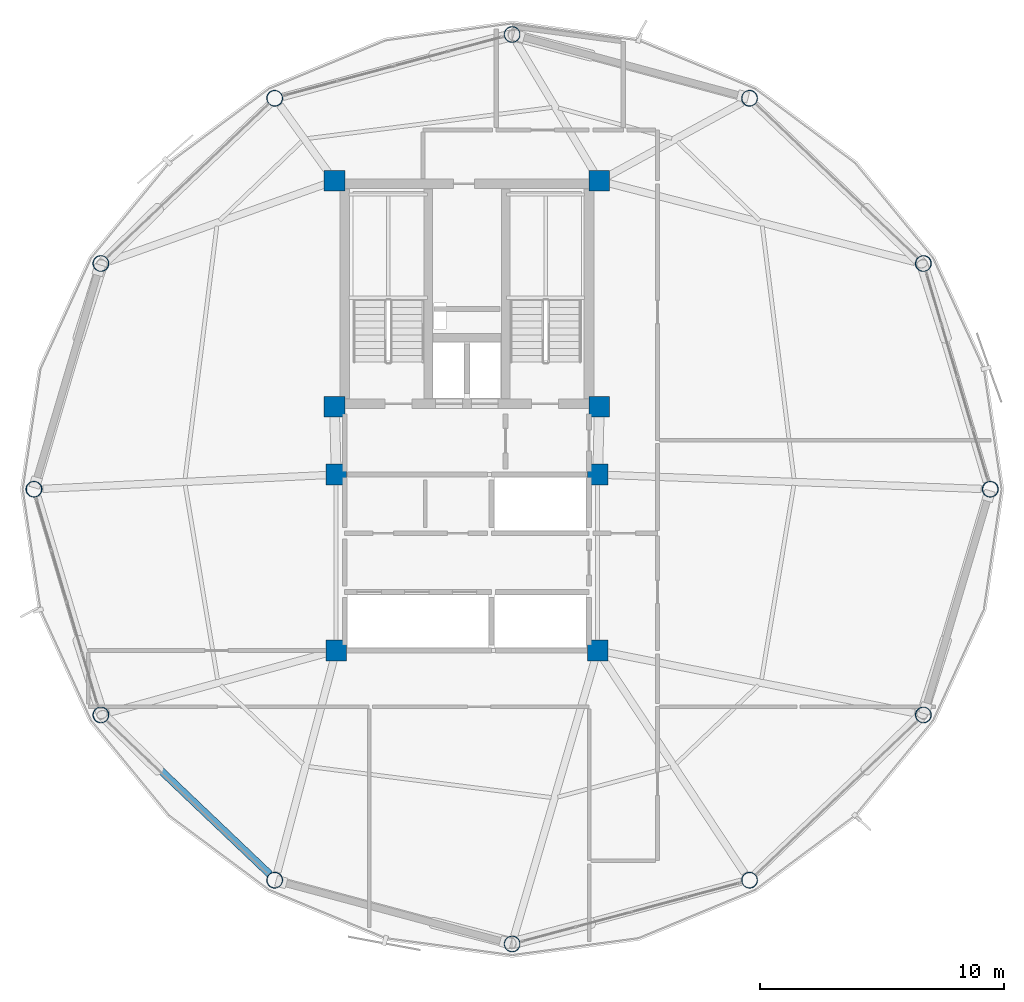
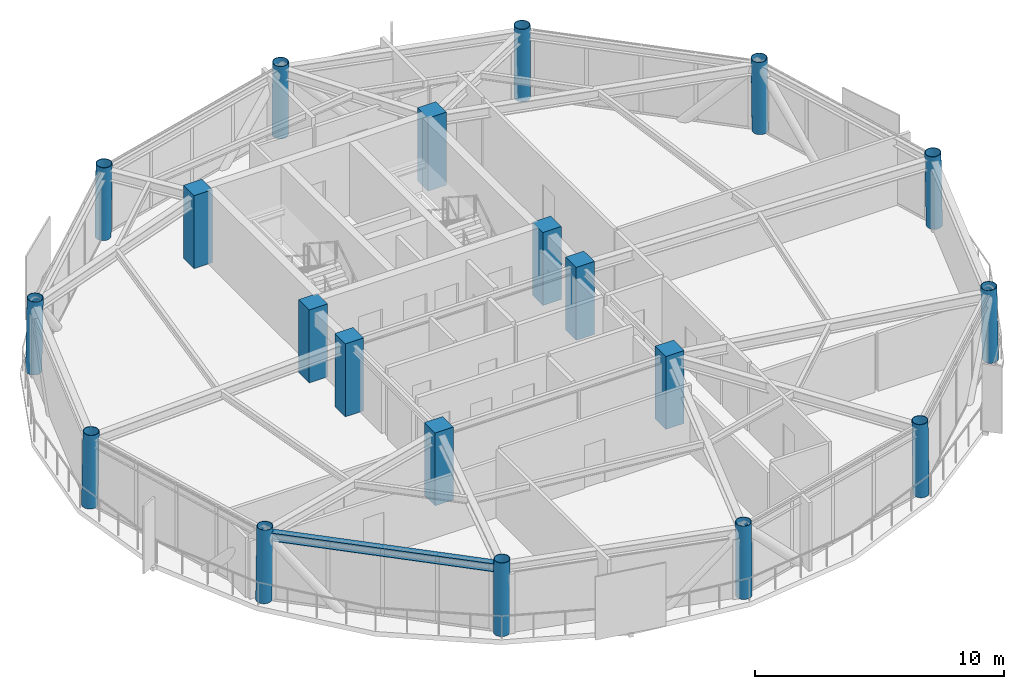
# One storey, part 1 of 29: 20 columns, 1 beam.
"""IFC4 building model written with IfcOpenShell, lengths in metres."""

import ifcopenshell
import ifcopenshell.guid

model = None  # the IFC model being written
_history = None  # IfcOwnerHistory: only IFC2X3 demands one
_inside = {}  # id of a spatial element -> (the spatial element, [elements in it])
_under = {}  # id of a project, library or spatial element -> (it, [spatial elements below it])
_declared = {}  # id of a project -> (the project, [libraries it declares])
_typed = {}  # id of a type object -> (the type object, [elements of that type])
_made_of = {}  # id of a material, layer set ... -> (it, [elements and type objects made of it])


def new_model(schema):
    """Start an empty IFC model of exactly this schema.

    Asked for "IFC4X3", IfcOpenShell would pick the latest addendum, in which some entities
    have other attributes; the version numbers below select the first issue.
    IFC2X3 requires an IfcOwnerHistory on every rooted entity: one is made here for all.
    """
    global model, _history
    if schema == "IFC4X3":
        model = ifcopenshell.file(schema_version=(4, 3, 0, 0))
    else:
        model = ifcopenshell.file(schema=schema)
    _inside.clear()
    _under.clear()
    _declared.clear()
    _typed.clear()
    _made_of.clear()
    _history = None
    if model.schema == "IFC2X3":
        org = make("IfcOrganization", Name="unknown")
        user = make(
            "IfcPersonAndOrganization",
            ThePerson=make("IfcPerson", FamilyName="unknown"),
            TheOrganization=org,
        )
        app = make(
            "IfcApplication",
            ApplicationDeveloper=org,
            Version="unknown",
            ApplicationFullName="unknown",
            ApplicationIdentifier="unknown",
        )
        _history = make(
            "IfcOwnerHistory",
            OwningUser=user,
            OwningApplication=app,
            ChangeAction="ADDED",
            CreationDate=0,
        )
    return model


def make(cls, **values):
    """One entity of the class cls with the attributes given. An attribute that is None is left unset."""
    return model.create_entity(
        cls, **{name: value for name, value in values.items() if value is not None}
    )


def rooted(cls, **values):
    """An entity with a GlobalId (a new one), such as an element, a storey or a relation."""
    return make(cls, GlobalId=ifcopenshell.guid.new(), OwnerHistory=_history, **values)


def si_unit(unit_type, name, prefix=None):
    """IfcSIUnit, for example si_unit("LENGTHUNIT", "METRE", prefix="MILLI")."""
    return make("IfcSIUnit", UnitType=unit_type, Prefix=prefix, Name=name)


def assignment(units):
    """IfcUnitAssignment: the units of a project."""
    return None if units is None else make("IfcUnitAssignment", Units=units)


def point(xyz):
    """IfcCartesianPoint."""
    return None if xyz is None else make("IfcCartesianPoint", Coordinates=xyz)


def direction(xyz):
    """IfcDirection."""
    return None if xyz is None else make("IfcDirection", DirectionRatios=xyz)


def frame(location, z_axis=None, x_axis=None):
    """IfcAxis2Placement3D, a coordinate frame: its origin and axes. An axis left out is left unset."""
    return make(
        "IfcAxis2Placement3D",
        Location=point(location),
        Axis=direction(z_axis),
        RefDirection=direction(x_axis),
    )


def frame_2d(location, x_axis=None):
    """IfcAxis2Placement2D, a coordinate frame in the plane: its origin and x axis."""
    return make(
        "IfcAxis2Placement2D", Location=point(location), RefDirection=direction(x_axis)
    )


def origin():
    """The frame at (0, 0, 0) with its axes left unset."""
    return frame((0.0, 0.0, 0.0))


def origin_2d():
    """The frame at (0, 0) in the plane with its x axis left unset."""
    return frame_2d((0.0, 0.0))


def place(relative_to, where):
    """IfcLocalPlacement: puts the frame where relative to a parent placement (None: the world)."""
    return make(
        "IfcLocalPlacement", PlacementRelTo=relative_to, RelativePlacement=where
    )


def context(
    kind, dimensions, precision=None, world=None, true_north=None, identifier=None
):
    """IfcGeometricRepresentationContext, for example the 3D "Model" context."""
    return make(
        "IfcGeometricRepresentationContext",
        ContextIdentifier=identifier,
        ContextType=kind,
        CoordinateSpaceDimension=dimensions,
        Precision=precision,
        WorldCoordinateSystem=world,
        TrueNorth=true_north,
    )


def subcontext(parent, identifier, kind, view, scale=None):
    """IfcGeometricRepresentationSubContext, for example "Body" below "Model"."""
    return make(
        "IfcGeometricRepresentationSubContext",
        ContextIdentifier=identifier,
        ContextType=kind,
        ParentContext=parent,
        TargetScale=scale,
        TargetView=view,
    )


def project(units=None, contexts=None):
    """IfcProject with its units and contexts."""
    return rooted(
        "IfcProject",
        Name="project",
        RepresentationContexts=contexts,
        UnitsInContext=assignment(units),
    )


def spatial(cls, under=None, at=None, **own):
    """A site, building, storey or space (cls), placed at a placement, below another one or the project."""
    s = rooted(cls, ObjectPlacement=at, **own)
    if under is not None:
        _under.setdefault(under.id(), (under, []))[1].append(s)
    return s


def profile(cls, at=None, kind="AREA", **sizes):
    """A parametric profile (cls). Its sizes go by their IFC names, for example OverallWidth=200.0."""
    return make(cls, ProfileType=kind, Position=at, **sizes)


def rectangle(**sizes):
    """IfcRectangleProfileDef."""
    return profile("IfcRectangleProfileDef", **sizes)


def hollow_circle(**sizes):
    """IfcCircleHollowProfileDef."""
    return profile("IfcCircleHollowProfileDef", **sizes)


def i_section(**sizes):
    """IfcIShapeProfileDef."""
    return profile("IfcIShapeProfileDef", **sizes)


def extrude(swept, where, along, depth):
    """IfcExtrudedAreaSolid: the profile swept, set in the frame where, extruded along a direction by depth."""
    return make(
        "IfcExtrudedAreaSolid",
        SweptArea=swept,
        Position=where,
        ExtrudedDirection=direction(along),
        Depth=depth,
    )


def shape(context_of_items, identifier, shape_type, items):
    """IfcShapeRepresentation: the items that make up one representation, for example the "Body"."""
    return make(
        "IfcShapeRepresentation",
        ContextOfItems=context_of_items,
        RepresentationIdentifier=identifier,
        RepresentationType=shape_type,
        Items=items,
    )


def material(Name=None, Category=None):
    """IfcMaterial."""
    return make("IfcMaterial", Name=Name, Category=Category)


def material_profile(
    of_material, cross_section, Name=None, Category=None, Priority=None
):
    """IfcMaterialProfile: a cross section and its material."""
    return make(
        "IfcMaterialProfile",
        Name=Name,
        Material=of_material,
        Profile=cross_section,
        Priority=Priority,
        Category=Category,
    )


def profile_set(profiles, Name=None, composite=None):
    """IfcMaterialProfileSet."""
    return make(
        "IfcMaterialProfileSet",
        Name=Name,
        MaterialProfiles=profiles,
        CompositeProfile=composite,
    )


def made_of(thing, what):
    """Note that an element or type object is made of a material, layer set ...; save() writes the relation."""
    if what is not None:
        _made_of.setdefault(what.id(), (what, []))[1].append(thing)
    return thing


def type_object(cls, material=None, **own):
    """A type object (cls), such as IfcWallType, which elements share."""
    return made_of(rooted(cls, **own), material)


def element(
    cls,
    number,
    at=None,
    inside=None,
    cuts=None,
    type_object=None,
    material=None,
    context=None,
    identifier="Body",
    shape_type=None,
    held_by="IfcProductDefinitionShape",
    body=None,
    shapes=None,
    **own,
):
    """One element of the class cls, such as IfcWall. Its Tag is "e" and its number.

    at: its placement. inside: the storey or other place that contains it. cuts: it is an
    opening in that element (IfcRelVoidsElement). A single representation is given by context,
    identifier, shape_type and body (its items); several are given by shapes. held_by: the class
    of the entity that holds the representations. save() writes the other relations.
    """
    e = rooted(cls, Tag="e%d" % number, ObjectPlacement=at, **own)
    if body is not None:
        shapes = [shape(context, identifier, shape_type, body)]
    if shapes is not None:
        e.Representation = make(held_by, Representations=shapes)
    if inside is not None:
        _inside.setdefault(inside.id(), (inside, []))[1].append(e)
    if cuts is not None:
        rooted(
            "IfcRelVoidsElement", RelatingBuildingElement=cuts, RelatedOpeningElement=e
        )
    if type_object is not None:
        _typed.setdefault(type_object.id(), (type_object, []))[1].append(e)
    return made_of(e, material)


def aggregate(whole, parts):
    """IfcRelAggregates: a whole, such as a stair, and the parts it consists of."""
    return rooted("IfcRelAggregates", RelatingObject=whole, RelatedObjects=parts)


def save(model, path):
    """Write the relations noted so far, then the file.

    IfcRelAggregates (storeys below a building ...), IfcRelContainedInSpatialStructure (elements
    in a storey), IfcRelDefinesByType, IfcRelAssociatesMaterial and IfcRelDeclares: one each for
    every whole, place, type object, material and project.
    """
    for whole, parts in _under.values():
        aggregate(whole, parts)
    for where, things in _inside.values():
        rooted(
            "IfcRelContainedInSpatialStructure",
            RelatedElements=things,
            RelatingStructure=where,
        )
    for kind, things in _typed.values():
        rooted("IfcRelDefinesByType", RelatedObjects=things, RelatingType=kind)
    for what, things in _made_of.values():
        rooted("IfcRelAssociatesMaterial", RelatedObjects=things, RelatingMaterial=what)
    for by, libraries in _declared.values():
        rooted("IfcRelDeclares", RelatingContext=by, RelatedDefinitions=libraries)
    model.write(path)


model = new_model("IFC4")

# Units and contexts
model_context = context("Model", 3, precision=1e-05, world=origin(), true_north=direction((0.0, 1.0)))
body_context = subcontext(model_context, "Body", "Model", "MODEL_VIEW")
ifc_project = project(units=[si_unit("LENGTHUNIT", "METRE"), si_unit("AREAUNIT", "SQUARE_METRE"), si_unit("VOLUMEUNIT", "CUBIC_METRE"), si_unit("PLANEANGLEUNIT", "RADIAN"), si_unit("MASSUNIT", "GRAM", prefix="KILO")], contexts=[model_context])

# Site, building, storey
site_placement = place(None, origin())
site = spatial("IfcSite", under=ifc_project, at=site_placement, CompositionType="ELEMENT")
building_placement = place(site_placement, origin())
building = spatial("IfcBuilding", under=site, at=building_placement, Name="Varnakorn Sky Granary", CompositionType="ELEMENT")
storey_placement = place(building_placement, frame((0.0, 0.0, 189.60009765625)))
storey = spatial("IfcBuildingStorey", under=building, at=storey_placement, Name="L47", CompositionType="ELEMENT", Elevation=189.60009765625)

# Columns
ifc_material_1 = material(Name="Steel S460M", Category="steel")
ifc_material_profile_1 = material_profile(ifc_material_1, hollow_circle(Radius=0.330078125, WallThickness=0.02490234375, at=origin_2d()), Name="CHS 660x25")
ifc_profile_set_1 = profile_set([ifc_material_profile_1], Name="Steel S460M")
column_type_1 = type_object("IfcColumnType", Name="COL-DC-Z4", PredefinedType="COLUMN", material=ifc_profile_set_1)
column_1_placement = place(storey_placement, frame((24.428955078125, 0.0, 0.0), z_axis=(-0.018981760075, 0.0, 0.999819830162), x_axis=(0.0, -1.0, 0.0)))
element("IfcColumn", 1, at=column_1_placement, inside=storey, type_object=column_type_1, Name="Drum Perimeter Column DC01 L47", PredefinedType="COLUMN", context=body_context, shape_type="SweptSolid", body=[
    extrude(hollow_circle(Radius=0.330078125, WallThickness=0.02490234375, at=origin_2d()), origin(), (0.0, 0.0, 1.0), 3.57568359375),
])
column_2_placement = place(storey_placement, frame((21.68896484375, 9.239990234375, 0.0), z_axis=(-0.016455959383, -0.00477973924, 0.999853166967), x_axis=(0.278928739366, -0.960311802674, 0.0)))
element("IfcColumn", 2, at=column_2_placement, inside=storey, type_object=column_type_1, Name="Drum Perimeter Column DC02 L47", PredefinedType="COLUMN", context=body_context, shape_type="SweptSolid", body=[
    extrude(hollow_circle(Radius=0.330078125, WallThickness=0.02490234375, at=origin_2d()), origin(), (0.0, 0.0, 1.0), 3.575439453125),
])
for number, where, z_axis, x_axis, name in (
    (3, (14.572021484375, 16.004150390625, 0.0), (-0.00949183863, -0.008262679671, 0.999920813427), (0.656581650754, -0.754254954172, 0.0), "Drum Perimeter Column DC03 L47"),
    (4, (4.85009765625, 18.614990234375, 0.0), (0.0, -0.00949216266, 0.999954948409), (1.0, 0.0, 0.0), "Drum Perimeter Column DC04 L47"),
    (5, (-4.8720703125, 16.004150390625, 0.0), (0.009560119021, -0.008262674296, 0.999920162982), (0.653901224294, 0.756579928935, 0.0), "Drum Perimeter Column DC05 L47"),
):
    element("IfcColumn", number, at=place(storey_placement, frame(where, z_axis=z_axis, x_axis=x_axis)), inside=storey, type_object=column_type_1, Name=name, PredefinedType="COLUMN", context=body_context, shape_type="SweptSolid", body=[
        extrude(hollow_circle(Radius=0.330078125, WallThickness=0.02490234375, at=origin_2d()), origin(), (0.0, 0.0, 1.0), 3.5751953125),
    ])
column_3_placement = place(storey_placement, frame((-11.989013671875, 9.239990234375, 0.0), z_axis=(0.016455959383, -0.00477973924, 0.999853166967), x_axis=(0.278928739366, 0.960311802674, 0.0)))
element("IfcColumn", 6, at=column_3_placement, inside=storey, type_object=column_type_1, Name="Drum Perimeter Column DC06 L47", PredefinedType="COLUMN", context=body_context, shape_type="SweptSolid", body=[
    extrude(hollow_circle(Radius=0.330078125, WallThickness=0.02490234375, at=origin_2d()), origin(), (0.0, 0.0, 1.0), 3.575439453125),
])
column_4_placement = place(storey_placement, frame((-14.72900390625, 0.0, 0.0), z_axis=(0.019050015053, 0.0, 0.999818531998), x_axis=(0.0, 1.0, 0.0)))
element("IfcColumn", 7, at=column_4_placement, inside=storey, type_object=column_type_1, Name="Drum Perimeter Column DC07 L47", PredefinedType="COLUMN", context=body_context, shape_type="SweptSolid", body=[
    extrude(hollow_circle(Radius=0.330078125, WallThickness=0.02490234375, at=origin_2d()), origin(), (0.0, 0.0, 1.0), 3.57568359375),
])
column_5_placement = place(storey_placement, frame((-11.989013671875, -9.239990234375, 0.0), z_axis=(0.016455959383, 0.00477973924, 0.999853166967), x_axis=(-0.278928739366, 0.960311802674, 0.0)))
element("IfcColumn", 8, at=column_5_placement, inside=storey, type_object=column_type_1, Name="Drum Perimeter Column DC08 L47", PredefinedType="COLUMN", context=body_context, shape_type="SweptSolid", body=[
    extrude(hollow_circle(Radius=0.330078125, WallThickness=0.02490234375, at=origin_2d()), origin(), (0.0, 0.0, 1.0), 3.575439453125),
])
for number, where, z_axis, x_axis, name in (
    (9, (-4.8720703125, -16.004150390625, 0.0), (0.009560119021, 0.008262674296, 0.999920162982), (-0.653901224294, 0.756579928935, 0.0), "Drum Perimeter Column DC09 L47"),
    (10, (4.85009765625, -18.614990234375, 0.0), (0.0, 0.00949216266, 0.999954948409), (-1.0, 0.0, 0.0), "Drum Perimeter Column DC10 L47"),
    (11, (14.572021484375, -16.004150390625, 0.0), (-0.00949183863, 0.008262679671, 0.999920813427), (-0.656581650754, -0.754254954172, 0.0), "Drum Perimeter Column DC11 L47"),
):
    element("IfcColumn", number, at=place(storey_placement, frame(where, z_axis=z_axis, x_axis=x_axis)), inside=storey, type_object=column_type_1, Name=name, PredefinedType="COLUMN", context=body_context, shape_type="SweptSolid", body=[
        extrude(hollow_circle(Radius=0.330078125, WallThickness=0.02490234375, at=origin_2d()), origin(), (0.0, 0.0, 1.0), 3.5751953125),
    ])
column_6_placement = place(storey_placement, frame((21.68896484375, -9.239990234375, 0.0), z_axis=(-0.016455959383, 0.00477973924, 0.999853166967), x_axis=(-0.278928739366, -0.960311802674, 0.0)))
element("IfcColumn", 12, at=column_6_placement, inside=storey, type_object=column_type_1, Name="Drum Perimeter Column DC12 L47", PredefinedType="COLUMN", context=body_context, shape_type="SweptSolid", body=[
    extrude(hollow_circle(Radius=0.330078125, WallThickness=0.02490234375, at=origin_2d()), origin(), (0.0, 0.0, 1.0), 3.575439453125),
])
ifc_material_2 = material(Name="Concrete C50/60", Category="concrete")
ifc_material_profile_2 = material_profile(ifc_material_2, rectangle(XDim=0.85009765625, YDim=0.85009765625, at=origin_2d()), Name="RC 850x850")
ifc_profile_set_2 = profile_set([ifc_material_profile_2], Name="Concrete C50/60")
column_type_2 = type_object("IfcColumnType", Name="COL-MC-Z4", PredefinedType="COLUMN", material=ifc_profile_set_2)
for number, where, z_axis, x_axis, name in (
    (13, (-2.419921875, 12.6201171875, 0.0), (0.0, 0.0, 1.0), (1.0, 0.0, 0.0), "Backbone Mega-Column MC1 L47"),
    (14, (8.419921875, 12.6201171875, 0.0), (0.0, 0.0, 1.0), (1.0, 0.0, 0.0), "Backbone Mega-Column MC2 L47"),
    (15, (-2.419921875, 3.3798828125, 0.0), (0.0, 0.0, 1.0), (1.0, 0.0, 0.0), "Backbone Mega-Column MC3 L47"),
    (16, (8.419921875, 3.3798828125, 0.0), (0.0, 0.0, 1.0), (1.0, 0.0, 0.0), "Backbone Mega-Column MC4 L47"),
    (17, (-2.35009765625, 0.60009765625, 0.0), (0.0, 0.0, 1.0), (1.0, 0.0, 0.0), "Backbone Mega-Column MC5 L47"),
    (18, (8.35009765625, 0.60009765625, 0.0), (0.0, 0.0, 1.0), (1.0, 0.0, 0.0), "Backbone Mega-Column MC6 L47"),
    (19, (-2.35009765625, -6.60009765625, 0.0), (0.0, 0.0, 1.0), (1.0, 0.0, 0.0), "Backbone Mega-Column MC7 L47"),
    (20, (8.35009765625, -6.60009765625, 0.0), (0.0, 0.0, 1.0), (1.0, 0.0, 0.0), "Backbone Mega-Column MC8 L47"),
):
    element("IfcColumn", number, at=place(storey_placement, frame(where, z_axis=z_axis, x_axis=x_axis)), inside=storey, type_object=column_type_2, Name=name, PredefinedType="COLUMN", context=body_context, shape_type="SweptSolid", body=[
        extrude(rectangle(XDim=0.85009765625, YDim=0.85009765625, at=origin_2d()), origin(), (0.0, 0.0, 1.0), 3.574951171875),
    ])

# Beam
ifc_material_3 = material(Name="Steel S355JR", Category="steel")
ifc_material_profile_3 = material_profile(ifc_material_3, i_section(OverallWidth=0.300048828125, OverallDepth=0.39990234375, WebThickness=0.013427734375, FlangeThickness=0.02392578125, at=origin_2d()), Name="HE 400 B")
ifc_profile_set_3 = profile_set([ifc_material_profile_3], Name="Steel S355JR")
beam_type = type_object("IfcBeamType", Name="BM-SPD-Z4", PredefinedType="SPANDREL", material=ifc_profile_set_3)
beam_placement = place(storey_placement, frame((-11.701904296875, -9.440185546875, 3.159912109375), z_axis=(0.724267193009, -0.689519421866, 0.0), x_axis=(0.689519421866, 0.724267193009, 0.0)))
element("IfcBeam", 21, at=beam_placement, inside=storey, type_object=beam_type, Name="Perimeter Spandrel Ring Beam RB08 L47", PredefinedType="SPANDREL", context=body_context, shape_type="SweptSolid", body=[
    extrude(i_section(OverallWidth=0.300048828125, OverallDepth=0.39990234375, WebThickness=0.013427734375, FlangeThickness=0.02392578125, at=origin_2d()), origin(), (0.0, 0.0, 1.0), 9.162109375),
])

save(model, "model.ifc")
